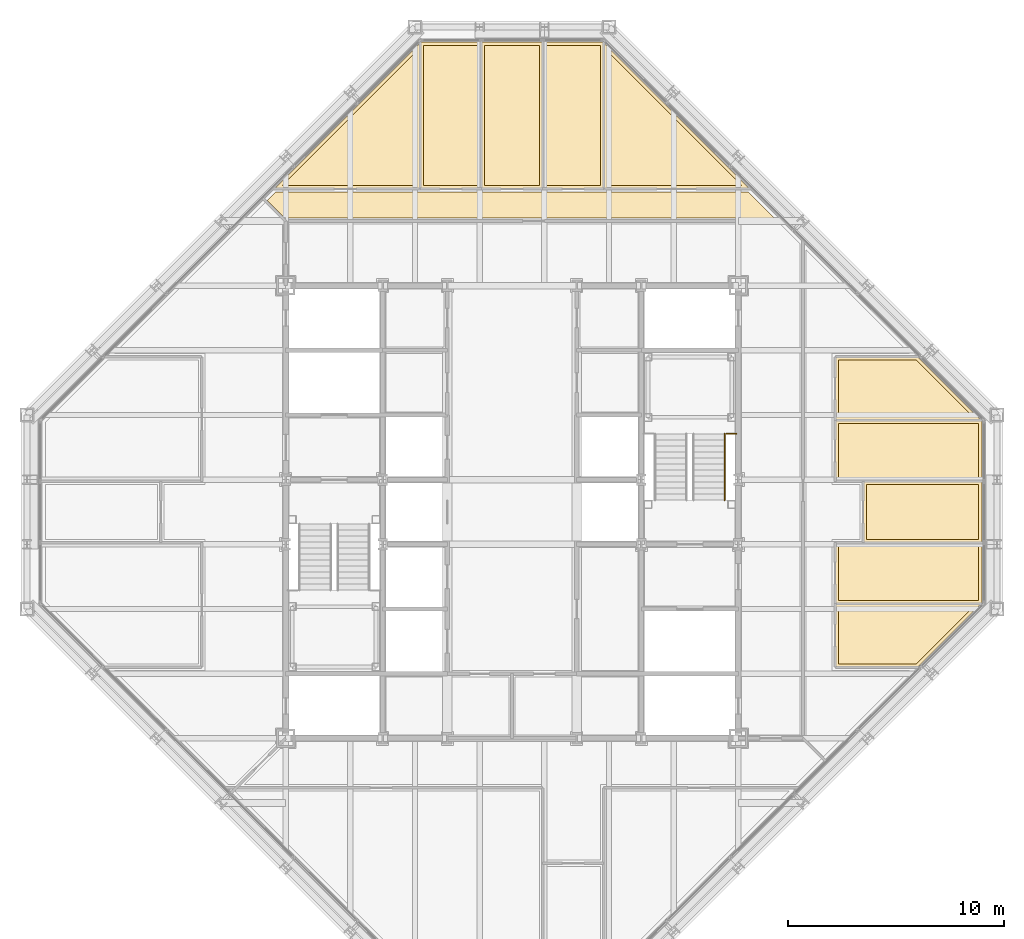
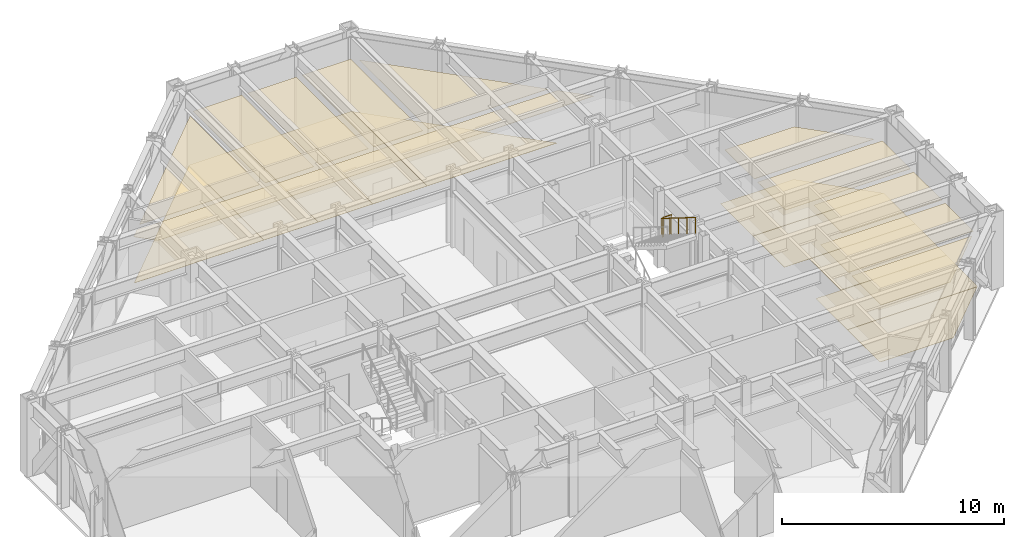
# One storey, part 15 of 15: 21 coverings, 2 railings.
"""IFC4 building model written with IfcOpenShell, lengths in metres."""

from ifc_helpers import new_model, si_unit, direction, frame, origin, origin_2d, place, context, subcontext, project, spatial, polyline, circle, outline, extrude, material, layer, layer_set, type_object, element, save


model = new_model("IFC4")

# Units and contexts
model_context = context("Model", 3, precision=1e-05, world=origin(), true_north=direction((0.0, 1.0)))
body_context = subcontext(model_context, "Body", "Model", "MODEL_VIEW")
ifc_project = project(units=[si_unit("LENGTHUNIT", "METRE"), si_unit("AREAUNIT", "SQUARE_METRE"), si_unit("VOLUMEUNIT", "CUBIC_METRE"), si_unit("PLANEANGLEUNIT", "RADIAN"), si_unit("MASSUNIT", "GRAM", prefix="KILO")], contexts=[model_context])

# Site, building, storey
site_placement = place(None, origin())
site = spatial("IfcSite", under=ifc_project, at=site_placement, CompositionType="ELEMENT")
building_placement = place(site_placement, origin())
building = spatial("IfcBuilding", under=site, at=building_placement, Name="Chuquiago Exchange Tower", CompositionType="ELEMENT")
storey_placement = place(building_placement, frame((0.0, 0.0, 279.0)))
storey = spatial("IfcBuildingStorey", under=building, at=storey_placement, Name="L62", CompositionType="ELEMENT", Elevation=279.0)

# Coverings
ifc_material_1 = material(Name="Mineral fibre tile, 600 x 600, on pale metal grid", Category="mineral fibre")
ifc_layer_1 = layer(ifc_material_1, 0.02001953125)
ifc_layer_set_1 = layer_set([ifc_layer_1], Name="CL1 suspended tile ceiling 20")
covering_type_1 = type_object("IfcCoveringType", Name="CL1 suspended tile ceiling 20", PredefinedType="CEILING", material=ifc_layer_set_1)
covering_1_placement = place(storey_placement, frame((0.0, 0.0, 3.0)))
element("IfcCovering", 1, at=covering_1_placement, inside=storey, type_object=covering_type_1, Name="Ceiling Office", PredefinedType="CEILING", context=body_context, shape_type="SweptSolid", body=[
    extrude(outline(polyline([(37.64990234375, 15.45703125), (37.64990234375, 18.098388671875), (43.896484375, 18.098388671875), (41.255126953125, 15.45703125), (37.64990234375, 15.45703125)])), origin(), (0.0, 0.0, 1.0), 0.02001953125),
])
covering_2_placement = place(storey_placement, frame((0.0, 0.0, 3.0)))
element("IfcCovering", 2, at=covering_2_placement, inside=storey, type_object=covering_type_1, Name="Ceiling Office", PredefinedType="CEILING", context=body_context, shape_type="SweptSolid", body=[
    extrude(outline(polyline([(37.64990234375, 18.3984375), (37.64990234375, 20.932861328125), (44.14990234375, 20.932861328125), (44.14990234375, 18.3984375), (37.64990234375, 18.3984375)])), origin(), (0.0, 0.0, 1.0), 0.02001953125),
])
covering_3_placement = place(storey_placement, frame((0.0, 0.0, 3.0)))
element("IfcCovering", 3, at=covering_3_placement, inside=storey, type_object=covering_type_1, Name="Ceiling Pantry", PredefinedType="CEILING", context=body_context, shape_type="SweptSolid", body=[
    extrude(outline(polyline([(38.949951171875, 21.23291015625), (38.949951171875, 23.76708984375), (44.14990234375, 23.76708984375), (44.14990234375, 21.23291015625), (38.949951171875, 21.23291015625)])), origin(), (0.0, 0.0, 1.0), 0.02001953125),
])
covering_4_placement = place(storey_placement, frame((0.0, 0.0, 3.0)))
element("IfcCovering", 4, at=covering_4_placement, inside=storey, type_object=covering_type_1, Name="Ceiling Office", PredefinedType="CEILING", context=body_context, shape_type="SweptSolid", body=[
    extrude(outline(polyline([(44.14990234375, 24.067138671875), (37.64990234375, 24.067138671875), (37.64990234375, 26.6015625), (44.14990234375, 26.6015625), (44.14990234375, 24.067138671875)])), origin(), (0.0, 0.0, 1.0), 0.02001953125),
])
covering_5_placement = place(storey_placement, frame((0.0, 0.0, 3.0)))
element("IfcCovering", 5, at=covering_5_placement, inside=storey, type_object=covering_type_1, Name="Ceiling Office", PredefinedType="CEILING", context=body_context, shape_type="SweptSolid", body=[
    extrude(outline(polyline([(37.64990234375, 26.901611328125), (37.64990234375, 29.54296875), (41.255126953125, 29.54296875), (43.896484375, 26.901611328125), (37.64990234375, 26.901611328125)])), origin(), (0.0, 0.0, 1.0), 0.02001953125),
])
covering_6_placement = place(storey_placement, frame((0.0, 0.0, 3.0)))
element("IfcCovering", 6, at=covering_6_placement, inside=storey, type_object=covering_type_1, Name="Ceiling Meeting room", PredefinedType="CEILING", context=body_context, shape_type="SweptSolid", body=[
    extrude(outline(polyline([(18.098388671875, 37.64990234375), (11.85205078125, 37.64990234375), (18.098388671875, 43.896484375), (18.098388671875, 37.64990234375)])), origin(), (0.0, 0.0, 1.0), 0.02001953125),
])
covering_7_placement = place(storey_placement, frame((0.0, 0.0, 3.0)))
element("IfcCovering", 7, at=covering_7_placement, inside=storey, type_object=covering_type_1, Name="Ceiling Executive office", PredefinedType="CEILING", context=body_context, shape_type="SweptSolid", body=[
    extrude(outline(polyline([(20.932861328125, 44.14990234375), (20.932861328125, 37.64990234375), (18.3984375, 37.64990234375), (18.3984375, 44.14990234375), (20.932861328125, 44.14990234375)])), origin(), (0.0, 0.0, 1.0), 0.02001953125),
])
covering_8_placement = place(storey_placement, frame((0.0, 0.0, 3.0)))
element("IfcCovering", 8, at=covering_8_placement, inside=storey, type_object=covering_type_1, Name="Ceiling Meeting room", PredefinedType="CEILING", context=body_context, shape_type="SweptSolid", body=[
    extrude(outline(polyline([(23.76708984375, 37.64990234375), (21.23291015625, 37.64990234375), (21.23291015625, 44.14990234375), (23.76708984375, 44.14990234375), (23.76708984375, 37.64990234375)])), origin(), (0.0, 0.0, 1.0), 0.02001953125),
])
covering_9_placement = place(storey_placement, frame((0.0, 0.0, 3.0)))
element("IfcCovering", 9, at=covering_9_placement, inside=storey, type_object=covering_type_1, Name="Ceiling Executive office", PredefinedType="CEILING", context=body_context, shape_type="SweptSolid", body=[
    extrude(outline(polyline([(26.6015625, 37.64990234375), (24.067138671875, 37.64990234375), (24.067138671875, 44.14990234375), (26.6015625, 44.14990234375), (26.6015625, 37.64990234375)])), origin(), (0.0, 0.0, 1.0), 0.02001953125),
])
covering_10_placement = place(storey_placement, frame((0.0, 0.0, 3.0)))
element("IfcCovering", 10, at=covering_10_placement, inside=storey, type_object=covering_type_1, Name="Ceiling Dining room", PredefinedType="CEILING", context=body_context, shape_type="SweptSolid", body=[
    extrude(outline(polyline([(26.901611328125, 37.64990234375), (26.901611328125, 43.896484375), (33.14794921875, 37.64990234375), (26.901611328125, 37.64990234375)])), origin(), (0.0, 0.0, 1.0), 0.02001953125),
])
covering_11_placement = place(storey_placement, frame((0.0, 0.0, 3.0)))
element("IfcCovering", 11, at=covering_11_placement, inside=storey, type_object=covering_type_1, Name="Ceiling Executive reception west", PredefinedType="CEILING", context=body_context, shape_type="SweptSolid", body=[
    extrude(outline(polyline([(11.552001953125, 37.35009765625), (33.447998046875, 37.35009765625), (34.64794921875, 36.14990234375), (11.948974609375, 36.14990234375), (11.150390625, 36.948486328125), (11.552001953125, 37.35009765625)])), origin(), (0.0, 0.0, 1.0), 0.02001953125),
])
ifc_material_2 = material(Name="Carpet tile, 500 x 500, on the floor slab", Category="textile")
ifc_layer_2 = layer(ifc_material_2, 0.010009765625)
ifc_layer_set_2 = layer_set([ifc_layer_2], Name="FL1 carpet tile 10")
covering_type_2 = type_object("IfcCoveringType", Name="FL1 carpet tile 10", PredefinedType="FLOORING", material=ifc_layer_set_2)
covering_12_placement = place(storey_placement, origin())
element("IfcCovering", 12, at=covering_12_placement, inside=storey, type_object=covering_type_2, Name="Floor finish Office", PredefinedType="FLOORING", context=body_context, shape_type="SweptSolid", body=[
    extrude(outline(polyline([(41.317138671875, 15.30712890625), (37.5, 15.30712890625), (37.5, 18.24853515625), (44.258544921875, 18.24853515625), (41.317138671875, 15.30712890625)])), origin(), (0.0, 0.0, 1.0), 0.010009765625),
])
covering_13_placement = place(storey_placement, origin())
element("IfcCovering", 13, at=covering_13_placement, inside=storey, type_object=covering_type_2, Name="Floor finish Office", PredefinedType="FLOORING", context=body_context, shape_type="SweptSolid", body=[
    extrude(outline(polyline([(44.300048828125, 18.289794921875), (44.258544921875, 18.24853515625), (37.5, 18.24853515625), (37.5, 21.082763671875), (44.300048828125, 21.082763671875), (44.300048828125, 18.289794921875)])), origin(), (0.0, 0.0, 1.0), 0.010009765625),
])
covering_14_placement = place(storey_placement, origin())
element("IfcCovering", 14, at=covering_14_placement, inside=storey, type_object=covering_type_2, Name="Floor finish Office", PredefinedType="FLOORING", context=body_context, shape_type="SweptSolid", body=[
    extrude(outline(polyline([(44.300048828125, 26.710205078125), (44.300048828125, 23.917236328125), (37.5, 23.917236328125), (37.5, 26.75146484375), (44.258544921875, 26.75146484375), (44.300048828125, 26.710205078125)])), origin(), (0.0, 0.0, 1.0), 0.010009765625),
])
covering_15_placement = place(storey_placement, origin())
element("IfcCovering", 15, at=covering_15_placement, inside=storey, type_object=covering_type_2, Name="Floor finish Office", PredefinedType="FLOORING", context=body_context, shape_type="SweptSolid", body=[
    extrude(outline(polyline([(44.258544921875, 26.75146484375), (37.5, 26.75146484375), (37.5, 29.69287109375), (41.317138671875, 29.69287109375), (44.258544921875, 26.75146484375)])), origin(), (0.0, 0.0, 1.0), 0.010009765625),
])
covering_16_placement = place(storey_placement, origin())
element("IfcCovering", 16, at=covering_16_placement, inside=storey, type_object=covering_type_2, Name="Floor finish Meeting room", PredefinedType="FLOORING", context=body_context, shape_type="SweptSolid", body=[
    extrude(outline(polyline([(18.24853515625, 44.258544921875), (18.24853515625, 37.5), (11.489990234375, 37.5), (18.24853515625, 44.258544921875)])), origin(), (0.0, 0.0, 1.0), 0.010009765625),
])
covering_17_placement = place(storey_placement, origin())
element("IfcCovering", 17, at=covering_17_placement, inside=storey, type_object=covering_type_2, Name="Floor finish Executive office", PredefinedType="FLOORING", context=body_context, shape_type="SweptSolid", body=[
    extrude(outline(polyline([(18.289794921875, 44.300048828125), (21.082763671875, 44.300048828125), (21.082763671875, 37.5), (18.24853515625, 37.5), (18.24853515625, 44.258544921875), (18.289794921875, 44.300048828125)])), origin(), (0.0, 0.0, 1.0), 0.010009765625),
])
covering_18_placement = place(storey_placement, origin())
element("IfcCovering", 18, at=covering_18_placement, inside=storey, type_object=covering_type_2, Name="Floor finish Meeting room", PredefinedType="FLOORING", context=body_context, shape_type="SweptSolid", body=[
    extrude(outline(polyline([(23.917236328125, 44.300048828125), (23.917236328125, 37.5), (21.082763671875, 37.5), (21.082763671875, 44.300048828125), (23.917236328125, 44.300048828125)])), origin(), (0.0, 0.0, 1.0), 0.010009765625),
])
covering_19_placement = place(storey_placement, origin())
element("IfcCovering", 19, at=covering_19_placement, inside=storey, type_object=covering_type_2, Name="Floor finish Executive office", PredefinedType="FLOORING", context=body_context, shape_type="SweptSolid", body=[
    extrude(outline(polyline([(26.710205078125, 44.300048828125), (26.75146484375, 44.258544921875), (26.75146484375, 37.5), (23.917236328125, 37.5), (23.917236328125, 44.300048828125), (26.710205078125, 44.300048828125)])), origin(), (0.0, 0.0, 1.0), 0.010009765625),
])
ifc_material_3 = material(Name="Porcelain floor tile, 600 x 600, on adhesive bed", Category="ceramic")
ifc_layer_3 = layer(ifc_material_3, 0.014892578125)
ifc_layer_set_3 = layer_set([ifc_layer_3], Name="FL2 porcelain tile 15")
covering_type_3 = type_object("IfcCoveringType", Name="FL2 porcelain tile 15", PredefinedType="FLOORING", material=ifc_layer_set_3)
covering_20_placement = place(storey_placement, origin())
element("IfcCovering", 20, at=covering_20_placement, inside=storey, type_object=covering_type_3, Name="Floor finish Pantry", PredefinedType="FLOORING", context=body_context, shape_type="SweptSolid", body=[
    extrude(outline(polyline([(44.300048828125, 21.082763671875), (38.800048828125, 21.082763671875), (38.800048828125, 23.917236328125), (44.300048828125, 23.917236328125), (44.300048828125, 21.082763671875)])), origin(), (0.0, 0.0, 1.0), 0.014892578125),
])
covering_21_placement = place(storey_placement, origin())
element("IfcCovering", 21, at=covering_21_placement, inside=storey, type_object=covering_type_3, Name="Floor finish Dining room", PredefinedType="FLOORING", context=body_context, shape_type="SweptSolid", body=[
    extrude(outline(polyline([(33.510009765625, 37.5), (26.75146484375, 37.5), (26.75146484375, 44.258544921875), (33.510009765625, 37.5)])), origin(), (0.0, 0.0, 1.0), 0.014892578125),
])

# Railings
ifc_material_4 = material(Name="Pale metal guard with safety glass infill", Category="glass")
railing_type_1 = type_object("IfcRailingType", Name="GR1 guard 1100", PredefinedType="GUARDRAIL", material=ifc_material_4)
railing_1_placement = place(storey_placement, frame((32.445068359375, 26.1298828125, 2.10009765625)))
element("IfcRailing", 22, at=railing_1_placement, inside=storey, type_object=railing_type_1, Name="Guard ST2 L62 landing 2", PredefinedType="GUARDRAIL", context=body_context, shape_type="SweptSolid", body=[
    extrude(circle(Radius=0.02392578125, at=origin_2d()), frame((0.0, 0.0, 1.076171875), z_axis=(1.0, 0.0, 0.0), x_axis=(0.0, 1.0, 0.0)), (0.0, 0.0, 1.0), 0.454833984375),
    extrude(circle(Radius=0.02099609375, at=origin_2d()), origin(), (0.0, 0.0, 1.0), 1.052001953125),
    extrude(circle(Radius=0.02099609375, at=origin_2d()), frame((0.454833984375, 0.0, 0.0)), (0.0, 0.0, 1.0), 1.052001953125),
])
ifc_material_5 = material(Name="Pale metal handrail", Category="steel")
railing_type_2 = type_object("IfcRailingType", Name="HR1 handrail 900", PredefinedType="HANDRAIL", material=ifc_material_5)
railing_2_placement = place(storey_placement, frame((32.364990234375, 26.1298828125, 2.27490234375)))
element("IfcRailing", 23, at=railing_2_placement, inside=storey, type_object=railing_type_2, Name="Handrail ST2 L62 flight 2", PredefinedType="HANDRAIL", context=body_context, shape_type="SweptSolid", body=[
    extrude(circle(Radius=0.02392578125, at=origin_2d()), frame((0.0, 0.0, 0.8759765625), z_axis=(0.0, -0.847979421464, 0.530029150871), x_axis=(1.0, 0.0, 0.0)), (0.0, 0.0, 1.0), 3.632080078125),
    extrude(circle(Radius=0.02099609375, at=origin_2d()), origin(), (0.0, 0.0, 1.0), 0.851806640625),
    extrude(circle(Radius=0.02099609375, at=origin_2d()), frame((0.0, -0.77001953125, 0.481201171875)), (0.0, 0.0, 1.0), 0.851806640625),
    extrude(circle(Radius=0.02099609375, at=origin_2d()), frame((0.0, -1.5400390625, 0.96240234375)), (0.0, 0.0, 1.0), 0.851806640625),
    extrude(circle(Radius=0.02099609375, at=origin_2d()), frame((0.0, -2.309814453125, 1.44384765625)), (0.0, 0.0, 1.0), 0.851806640625),
    extrude(circle(Radius=0.02099609375, at=origin_2d()), frame((0.0, -3.079833984375, 1.925048828125)), (0.0, 0.0, 1.0), 0.851806640625),
])

save(model, "model.ifc")
